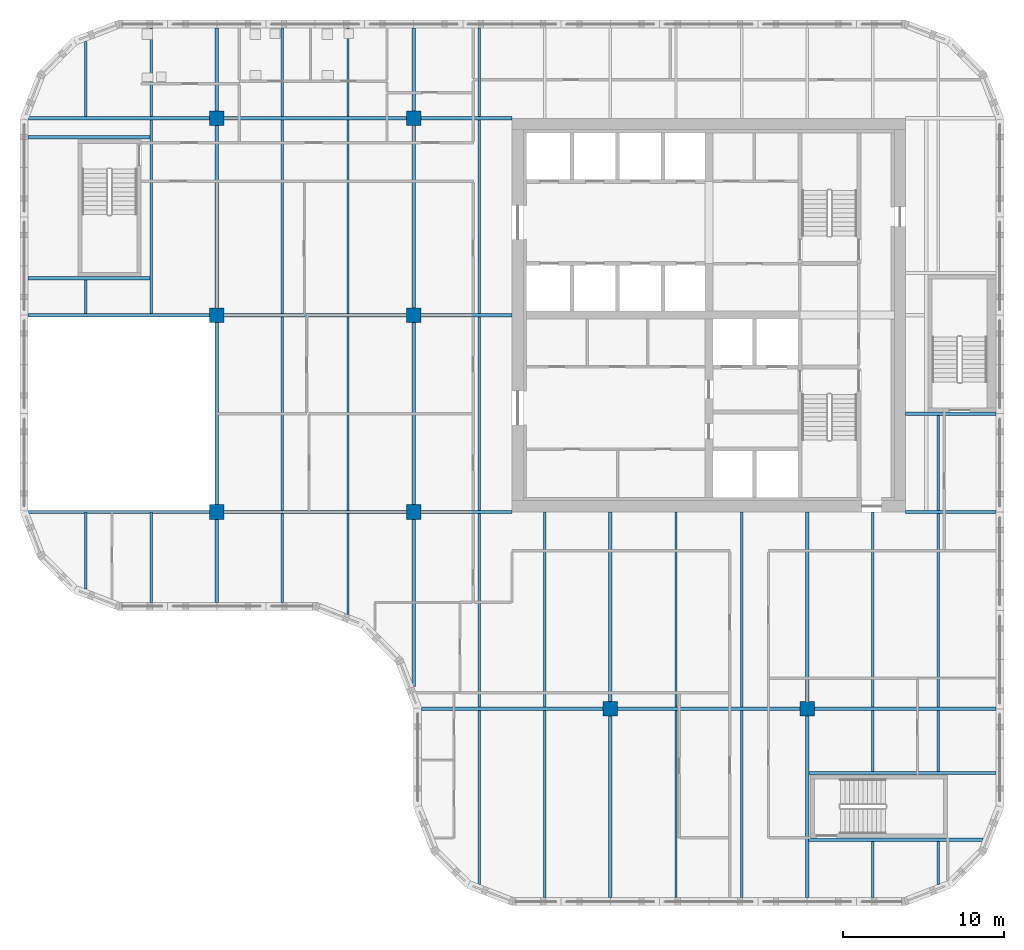
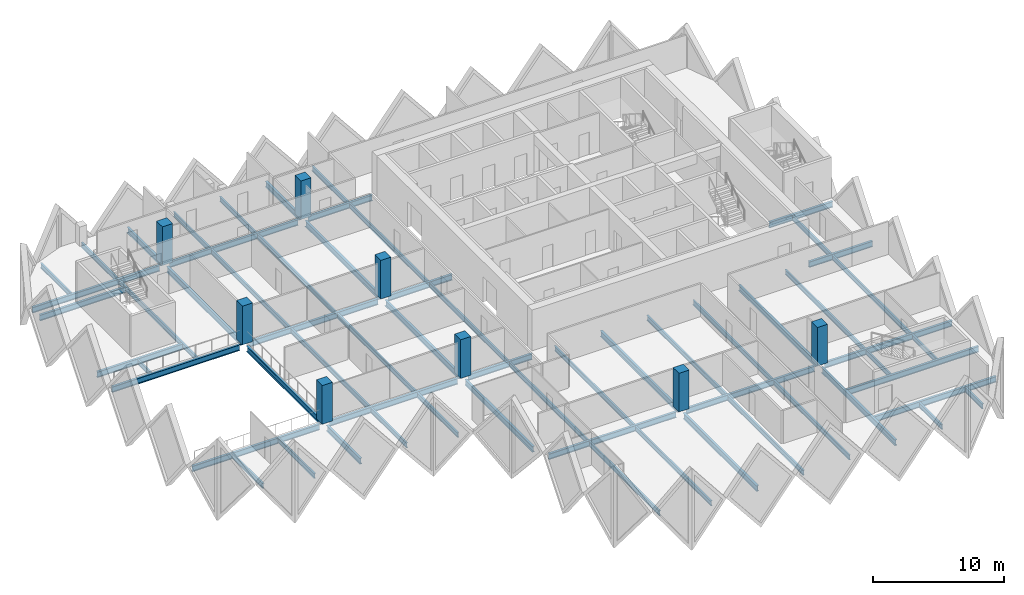
# One storey, part 1 of 13: 62 beams, 8 columns.
"""IFC4 building model written with IfcOpenShell, lengths in metres."""

from ifc_helpers import new_model, si_unit, direction, frame, origin, origin_2d, place, context, subcontext, project, spatial, rectangle, i_section, extrude, material, material_profile, profile_set, type_object, element, save


model = new_model("IFC4")

# Units and contexts
model_context = context("Model", 3, precision=1e-05, world=origin(), true_north=direction((0.0, 1.0)))
body_context = subcontext(model_context, "Body", "Model", "MODEL_VIEW")
ifc_project = project(units=[si_unit("LENGTHUNIT", "METRE"), si_unit("AREAUNIT", "SQUARE_METRE"), si_unit("VOLUMEUNIT", "CUBIC_METRE"), si_unit("PLANEANGLEUNIT", "RADIAN"), si_unit("MASSUNIT", "GRAM", prefix="KILO")], contexts=[model_context])

# Site, building, storey
site_placement = place(None, origin())
site = spatial("IfcSite", under=ifc_project, at=site_placement, CompositionType="ELEMENT")
building_placement = place(site_placement, origin())
building = spatial("IfcBuilding", under=site, at=building_placement, Name="Tessera Gate Towers", CompositionType="ELEMENT")
storey_placement = place(building_placement, frame((0.0, 0.0, 120.199951171875)))
storey = spatial("IfcBuildingStorey", under=building, at=storey_placement, Name="L29", CompositionType="ELEMENT", Elevation=120.199951171875)

# Columns
ifc_material_1 = material(Name="Concrete C70/85", Category="concrete")
ifc_material_profile_1 = material_profile(ifc_material_1, rectangle(XDim=0.89990234375, YDim=0.89990234375, at=origin_2d()), Name="RC 900x900")
ifc_profile_set_1 = profile_set([ifc_material_profile_1], Name="Concrete C70/85")
column_type = type_object("IfcColumnType", Name="COLUMN RC 900x900", PredefinedType="COLUMN", material=ifc_profile_set_1)
for number, where, z_axis, x_axis, name in (
    (1, (12.199951171875, 24.39990234375, 0.0), (0.0, 0.0, 1.0), (1.0, 0.0, 0.0), "T1-COL-2C-L29"),
    (2, (12.199951171875, 36.60009765625, 0.0), (0.0, 0.0, 1.0), (1.0, 0.0, 0.0), "T1-COL-2D-L29"),
    (3, (12.199951171875, 48.800048828125, 0.0), (0.0, 0.0, 1.0), (1.0, 0.0, 0.0), "T1-COL-2E-L29"),
    (4, (24.39990234375, 24.39990234375, 0.0), (0.0, 0.0, 1.0), (1.0, 0.0, 0.0), "T1-COL-3C-L29"),
    (5, (24.39990234375, 36.60009765625, 0.0), (0.0, 0.0, 1.0), (1.0, 0.0, 0.0), "T1-COL-3D-L29"),
    (6, (24.39990234375, 48.800048828125, 0.0), (0.0, 0.0, 1.0), (1.0, 0.0, 0.0), "T1-COL-3E-L29"),
    (7, (36.60009765625, 12.199951171875, 0.0), (0.0, 0.0, 1.0), (1.0, 0.0, 0.0), "T1-COL-4B-L29"),
    (8, (48.800048828125, 12.199951171875, 0.0), (0.0, 0.0, 1.0), (1.0, 0.0, 0.0), "T1-COL-5B-L29"),
):
    element("IfcColumn", number, at=place(storey_placement, frame(where, z_axis=z_axis, x_axis=x_axis)), inside=storey, type_object=column_type, Name=name, PredefinedType="COLUMN", context=body_context, shape_type="SweptSolid", body=[
        extrude(rectangle(XDim=0.89990234375, YDim=0.89990234375, at=origin_2d()), origin(), (0.0, 0.0, 1.0), 3.60009765625),
    ])

# Beams
ifc_material_2 = material(Name="Steel 350W", Category="steel")
ifc_material_profile_2 = material_profile(ifc_material_2, i_section(OverallWidth=0.208984375, OverallDepth=0.532958984375, WebThickness=0.01025390625, FlangeThickness=0.015625, at=origin_2d()), Name="W530x92")
ifc_profile_set_2 = profile_set([ifc_material_profile_2], Name="Steel 350W")
beam_type_1 = type_object("IfcBeamType", Name="FLOOR GIRDER W530x92", PredefinedType="BEAM", material=ifc_profile_set_2)
beam_1_placement = place(storey_placement, frame((24.89892578125, 12.199951171875, -0.466552734375), z_axis=(1.0, 0.0, 0.0), x_axis=(0.0, 1.0, 0.0)))
element("IfcBeam", 9, at=beam_1_placement, inside=storey, type_object=beam_type_1, Name="T1-GD-L29-3704", PredefinedType="BEAM", context=body_context, shape_type="SweptSolid", body=[
    extrude(i_section(OverallWidth=0.208984375, OverallDepth=0.532958984375, WebThickness=0.01025390625, FlangeThickness=0.015625, at=origin_2d()), origin(), (0.0, 0.0, 1.0), 11.2509765625),
])
beam_2_placement = place(storey_placement, frame((37.050048828125, 12.199951171875, -0.466552734375), z_axis=(1.0, 0.0, 0.0), x_axis=(0.0, 1.0, 0.0)))
element("IfcBeam", 10, at=beam_2_placement, inside=storey, type_object=beam_type_1, Name="T1-GD-L29-3705", PredefinedType="BEAM", context=body_context, shape_type="SweptSolid", body=[
    extrude(i_section(OverallWidth=0.208984375, OverallDepth=0.532958984375, WebThickness=0.01025390625, FlangeThickness=0.015625, at=origin_2d()), origin(), (0.0, 0.0, 1.0), 11.300048828125),
])
beam_3_placement = place(storey_placement, frame((49.25, 12.199951171875, -0.466552734375), z_axis=(1.0, 0.0, 0.0), x_axis=(0.0, 1.0, 0.0)))
element("IfcBeam", 11, at=beam_3_placement, inside=storey, type_object=beam_type_1, Name="T1-GD-L29-3706", PredefinedType="BEAM", context=body_context, shape_type="SweptSolid", body=[
    extrude(i_section(OverallWidth=0.208984375, OverallDepth=0.532958984375, WebThickness=0.01025390625, FlangeThickness=0.015625, at=origin_2d()), origin(), (0.0, 0.0, 1.0), 11.2509765625),
])
beam_4_placement = place(storey_placement, frame((0.534912109375, 24.39990234375, -0.466552734375), z_axis=(1.0, 0.0, 0.0), x_axis=(0.0, 1.0, 0.0)))
element("IfcBeam", 12, at=beam_4_placement, inside=storey, type_object=beam_type_1, Name="T1-GD-L29-3707", PredefinedType="BEAM", context=body_context, shape_type="SweptSolid", body=[
    extrude(i_section(OverallWidth=0.208984375, OverallDepth=0.532958984375, WebThickness=0.01025390625, FlangeThickness=0.015625, at=origin_2d()), origin(), (0.0, 0.0, 1.0), 11.215087890625),
])
beam_5_placement = place(storey_placement, frame((12.64990234375, 24.39990234375, -0.466552734375), z_axis=(1.0, 0.0, 0.0), x_axis=(0.0, 1.0, 0.0)))
element("IfcBeam", 13, at=beam_5_placement, inside=storey, type_object=beam_type_1, Name="T1-GD-L29-3708", PredefinedType="BEAM", context=body_context, shape_type="SweptSolid", body=[
    extrude(i_section(OverallWidth=0.208984375, OverallDepth=0.532958984375, WebThickness=0.01025390625, FlangeThickness=0.015625, at=origin_2d()), origin(), (0.0, 0.0, 1.0), 11.300048828125),
])
beam_6_placement = place(storey_placement, frame((24.85009765625, 24.39990234375, -0.466552734375), z_axis=(1.0, 0.0, 0.0), x_axis=(0.0, 1.0, 0.0)))
element("IfcBeam", 14, at=beam_6_placement, inside=storey, type_object=beam_type_1, Name="T1-GD-L29-3709", PredefinedType="BEAM", context=body_context, shape_type="SweptSolid", body=[
    extrude(i_section(OverallWidth=0.208984375, OverallDepth=0.532958984375, WebThickness=0.01025390625, FlangeThickness=0.015625, at=origin_2d()), origin(), (0.0, 0.0, 1.0), 5.64892578125),
])
beam_7_placement = place(storey_placement, frame((54.90087890625, 24.39990234375, -0.466552734375), z_axis=(1.0, 0.0, 0.0), x_axis=(0.0, 1.0, 0.0)))
element("IfcBeam", 15, at=beam_7_placement, inside=storey, type_object=beam_type_1, Name="T1-GD-L29-3710", PredefinedType="BEAM", context=body_context, shape_type="SweptSolid", body=[
    extrude(i_section(OverallWidth=0.208984375, OverallDepth=0.532958984375, WebThickness=0.01025390625, FlangeThickness=0.015625, at=origin_2d()), origin(), (0.0, 0.0, 1.0), 5.60009765625),
])
beam_8_placement = place(storey_placement, frame((0.4990234375, 36.60009765625, -0.466552734375), z_axis=(1.0, 0.0, 0.0), x_axis=(0.0, 1.0, 0.0)))
element("IfcBeam", 16, at=beam_8_placement, inside=storey, type_object=beam_type_1, Name="T1-GD-L29-3711", PredefinedType="BEAM", context=body_context, shape_type="SweptSolid", body=[
    extrude(i_section(OverallWidth=0.208984375, OverallDepth=0.532958984375, WebThickness=0.01025390625, FlangeThickness=0.015625, at=origin_2d()), origin(), (0.0, 0.0, 1.0), 11.2509765625),
])
beam_9_placement = place(storey_placement, frame((12.64990234375, 36.60009765625, -0.466552734375), z_axis=(1.0, 0.0, 0.0), x_axis=(0.0, 1.0, 0.0)))
element("IfcBeam", 17, at=beam_9_placement, inside=storey, type_object=beam_type_1, Name="T1-GD-L29-3712", PredefinedType="BEAM", context=body_context, shape_type="SweptSolid", body=[
    extrude(i_section(OverallWidth=0.208984375, OverallDepth=0.532958984375, WebThickness=0.01025390625, FlangeThickness=0.015625, at=origin_2d()), origin(), (0.0, 0.0, 1.0), 11.300048828125),
])
beam_10_placement = place(storey_placement, frame((24.85009765625, 36.60009765625, -0.466552734375), z_axis=(1.0, 0.0, 0.0), x_axis=(0.0, 1.0, 0.0)))
element("IfcBeam", 18, at=beam_10_placement, inside=storey, type_object=beam_type_1, Name="T1-GD-L29-3713", PredefinedType="BEAM", context=body_context, shape_type="SweptSolid", body=[
    extrude(i_section(OverallWidth=0.208984375, OverallDepth=0.532958984375, WebThickness=0.01025390625, FlangeThickness=0.015625, at=origin_2d()), origin(), (0.0, 0.0, 1.0), 5.65087890625),
])
beam_11_placement = place(storey_placement, frame((0.534912109375, 48.800048828125, -0.466552734375), z_axis=(1.0, 0.0, 0.0), x_axis=(0.0, 1.0, 0.0)))
element("IfcBeam", 19, at=beam_11_placement, inside=storey, type_object=beam_type_1, Name="T1-GD-L29-3715", PredefinedType="BEAM", context=body_context, shape_type="SweptSolid", body=[
    extrude(i_section(OverallWidth=0.208984375, OverallDepth=0.532958984375, WebThickness=0.01025390625, FlangeThickness=0.015625, at=origin_2d()), origin(), (0.0, 0.0, 1.0), 11.215087890625),
])
beam_12_placement = place(storey_placement, frame((12.64990234375, 48.800048828125, -0.466552734375), z_axis=(1.0, 0.0, 0.0), x_axis=(0.0, 1.0, 0.0)))
element("IfcBeam", 20, at=beam_12_placement, inside=storey, type_object=beam_type_1, Name="T1-GD-L29-3716", PredefinedType="BEAM", context=body_context, shape_type="SweptSolid", body=[
    extrude(i_section(OverallWidth=0.208984375, OverallDepth=0.532958984375, WebThickness=0.01025390625, FlangeThickness=0.015625, at=origin_2d()), origin(), (0.0, 0.0, 1.0), 11.300048828125),
])
beam_13_placement = place(storey_placement, frame((24.85009765625, 48.800048828125, -0.466552734375), z_axis=(1.0, 0.0, 0.0), x_axis=(0.0, 1.0, 0.0)))
element("IfcBeam", 21, at=beam_13_placement, inside=storey, type_object=beam_type_1, Name="T1-GD-L29-3717", PredefinedType="BEAM", context=body_context, shape_type="SweptSolid", body=[
    extrude(i_section(OverallWidth=0.208984375, OverallDepth=0.532958984375, WebThickness=0.01025390625, FlangeThickness=0.015625, at=origin_2d()), origin(), (0.0, 0.0, 1.0), 5.64892578125),
])
beam_14_placement = place(storey_placement, frame((12.199951171875, 18.799072265625, -0.466552734375), z_axis=(0.0, 1.0, 0.0), x_axis=(-1.0, 0.0, 0.0)))
element("IfcBeam", 22, at=beam_14_placement, inside=storey, type_object=beam_type_1, Name="T1-GD-L29-3719", PredefinedType="BEAM", context=body_context, shape_type="SweptSolid", body=[
    extrude(i_section(OverallWidth=0.208984375, OverallDepth=0.532958984375, WebThickness=0.01025390625, FlangeThickness=0.015625, at=origin_2d()), origin(), (0.0, 0.0, 1.0), 5.15087890625),
])
beam_15_placement = place(storey_placement, frame((12.199951171875, 24.85009765625, -0.466552734375), z_axis=(0.0, 1.0, 0.0), x_axis=(-1.0, 0.0, 0.0)))
element("IfcBeam", 23, at=beam_15_placement, inside=storey, type_object=beam_type_1, Name="T1-GD-L29-3720", PredefinedType="BEAM", context=body_context, shape_type="SweptSolid", body=[
    extrude(i_section(OverallWidth=0.208984375, OverallDepth=0.532958984375, WebThickness=0.01025390625, FlangeThickness=0.015625, at=origin_2d()), origin(), (0.0, 0.0, 1.0), 11.2998046875),
])
beam_16_placement = place(storey_placement, frame((12.199951171875, 37.050048828125, -0.466552734375), z_axis=(0.0, 1.0, 0.0), x_axis=(-1.0, 0.0, 0.0)))
element("IfcBeam", 24, at=beam_16_placement, inside=storey, type_object=beam_type_1, Name="T1-GD-L29-3721", PredefinedType="BEAM", context=body_context, shape_type="SweptSolid", body=[
    extrude(i_section(OverallWidth=0.208984375, OverallDepth=0.532958984375, WebThickness=0.01025390625, FlangeThickness=0.015625, at=origin_2d()), origin(), (0.0, 0.0, 1.0), 11.300048828125),
])
beam_17_placement = place(storey_placement, frame((12.199951171875, 49.25, -0.466552734375), z_axis=(0.0, 1.0, 0.0), x_axis=(-1.0, 0.0, 0.0)))
element("IfcBeam", 25, at=beam_17_placement, inside=storey, type_object=beam_type_1, Name="T1-GD-L29-3722", PredefinedType="BEAM", context=body_context, shape_type="SweptSolid", body=[
    extrude(i_section(OverallWidth=0.208984375, OverallDepth=0.532958984375, WebThickness=0.01025390625, FlangeThickness=0.015625, at=origin_2d()), origin(), (0.0, 0.0, 1.0), 5.15087890625),
])
beam_18_placement = place(storey_placement, frame((24.39990234375, 13.58642578125, -0.466552734375), z_axis=(0.0, 1.0, 0.0), x_axis=(-1.0, 0.0, 0.0)))
element("IfcBeam", 26, at=beam_18_placement, inside=storey, type_object=beam_type_1, Name="T1-GD-L29-3723", PredefinedType="BEAM", context=body_context, shape_type="SweptSolid", body=[
    extrude(i_section(OverallWidth=0.208984375, OverallDepth=0.532958984375, WebThickness=0.01025390625, FlangeThickness=0.015625, at=origin_2d()), origin(), (0.0, 0.0, 1.0), 10.363525390625),
])
beam_19_placement = place(storey_placement, frame((24.39990234375, 24.85009765625, -0.466552734375), z_axis=(0.0, 1.0, 0.0), x_axis=(-1.0, 0.0, 0.0)))
element("IfcBeam", 27, at=beam_19_placement, inside=storey, type_object=beam_type_1, Name="T1-GD-L29-3724", PredefinedType="BEAM", context=body_context, shape_type="SweptSolid", body=[
    extrude(i_section(OverallWidth=0.208984375, OverallDepth=0.532958984375, WebThickness=0.01025390625, FlangeThickness=0.015625, at=origin_2d()), origin(), (0.0, 0.0, 1.0), 11.2998046875),
])
beam_20_placement = place(storey_placement, frame((24.39990234375, 37.050048828125, -0.466552734375), z_axis=(0.0, 1.0, 0.0), x_axis=(-1.0, 0.0, 0.0)))
element("IfcBeam", 28, at=beam_20_placement, inside=storey, type_object=beam_type_1, Name="T1-GD-L29-3725", PredefinedType="BEAM", context=body_context, shape_type="SweptSolid", body=[
    extrude(i_section(OverallWidth=0.208984375, OverallDepth=0.532958984375, WebThickness=0.01025390625, FlangeThickness=0.015625, at=origin_2d()), origin(), (0.0, 0.0, 1.0), 11.300048828125),
])
beam_21_placement = place(storey_placement, frame((24.39990234375, 49.25, -0.466552734375), z_axis=(0.0, 1.0, 0.0), x_axis=(-1.0, 0.0, 0.0)))
element("IfcBeam", 29, at=beam_21_placement, inside=storey, type_object=beam_type_1, Name="T1-GD-L29-3726", PredefinedType="BEAM", context=body_context, shape_type="SweptSolid", body=[
    extrude(i_section(OverallWidth=0.208984375, OverallDepth=0.532958984375, WebThickness=0.01025390625, FlangeThickness=0.015625, at=origin_2d()), origin(), (0.0, 0.0, 1.0), 5.15087890625),
])
beam_22_placement = place(storey_placement, frame((36.60009765625, 0.4990234375, -0.466552734375), z_axis=(0.0, 1.0, 0.0), x_axis=(-1.0, 0.0, 0.0)))
element("IfcBeam", 30, at=beam_22_placement, inside=storey, type_object=beam_type_1, Name="T1-GD-L29-3727", PredefinedType="BEAM", context=body_context, shape_type="SweptSolid", body=[
    extrude(i_section(OverallWidth=0.208984375, OverallDepth=0.532958984375, WebThickness=0.01025390625, FlangeThickness=0.015625, at=origin_2d()), origin(), (0.0, 0.0, 1.0), 11.2509765625),
])
beam_23_placement = place(storey_placement, frame((36.60009765625, 12.64990234375, -0.466552734375), z_axis=(0.0, 1.0, 0.0), x_axis=(-1.0, 0.0, 0.0)))
element("IfcBeam", 31, at=beam_23_placement, inside=storey, type_object=beam_type_1, Name="T1-GD-L29-3728", PredefinedType="BEAM", context=body_context, shape_type="SweptSolid", body=[
    extrude(i_section(OverallWidth=0.208984375, OverallDepth=0.532958984375, WebThickness=0.01025390625, FlangeThickness=0.015625, at=origin_2d()), origin(), (0.0, 0.0, 1.0), 11.75),
])
beam_24_placement = place(storey_placement, frame((48.800048828125, 0.4990234375, -0.466552734375), z_axis=(0.0, 1.0, 0.0), x_axis=(-1.0, 0.0, 0.0)))
element("IfcBeam", 32, at=beam_24_placement, inside=storey, type_object=beam_type_1, Name="T1-GD-L29-3729", PredefinedType="BEAM", context=body_context, shape_type="SweptSolid", body=[
    extrude(i_section(OverallWidth=0.208984375, OverallDepth=0.532958984375, WebThickness=0.01025390625, FlangeThickness=0.015625, at=origin_2d()), origin(), (0.0, 0.0, 1.0), 11.2509765625),
])
beam_25_placement = place(storey_placement, frame((48.800048828125, 12.64990234375, -0.466552734375), z_axis=(0.0, 1.0, 0.0), x_axis=(-1.0, 0.0, 0.0)))
element("IfcBeam", 33, at=beam_25_placement, inside=storey, type_object=beam_type_1, Name="T1-GD-L29-3730", PredefinedType="BEAM", context=body_context, shape_type="SweptSolid", body=[
    extrude(i_section(OverallWidth=0.208984375, OverallDepth=0.532958984375, WebThickness=0.01025390625, FlangeThickness=0.015625, at=origin_2d()), origin(), (0.0, 0.0, 1.0), 11.75),
])
for number, where, z_axis, x_axis, name in (
    (34, (0.4990234375, 38.8798828125, -0.466552734375), (1.0, 0.0, 0.0), (0.0, 1.0, 0.0), "T1-GD-L29-3731"),
    (35, (0.4990234375, 47.6201171875, -0.466552734375), (1.0, 0.0, 0.0), (0.0, 1.0, 0.0), "T1-GD-L29-3732"),
):
    element("IfcBeam", number, at=place(storey_placement, frame(where, z_axis=z_axis, x_axis=x_axis)), inside=storey, type_object=beam_type_1, Name=name, PredefinedType="BEAM", context=body_context, shape_type="SweptSolid", body=[
        extrude(i_section(OverallWidth=0.208984375, OverallDepth=0.532958984375, WebThickness=0.01025390625, FlangeThickness=0.015625, at=origin_2d()), origin(), (0.0, 0.0, 1.0), 7.557861328125),
    ])
beam_26_placement = place(storey_placement, frame((48.87646484375, 4.080078125, -0.466552734375), z_axis=(1.0, 0.0, 0.0), x_axis=(0.0, 1.0, 0.0)))
element("IfcBeam", 36, at=beam_26_placement, inside=storey, type_object=beam_type_1, Name="T1-GD-L29-3733", PredefinedType="BEAM", context=body_context, shape_type="SweptSolid", body=[
    extrude(i_section(OverallWidth=0.208984375, OverallDepth=0.532958984375, WebThickness=0.01025390625, FlangeThickness=0.015625, at=origin_2d()), origin(), (0.0, 0.0, 1.0), 10.809326171875),
])
beam_27_placement = place(storey_placement, frame((48.87646484375, 8.219970703125, -0.466552734375), z_axis=(1.0, 0.0, 0.0), x_axis=(0.0, 1.0, 0.0)))
element("IfcBeam", 37, at=beam_27_placement, inside=storey, type_object=beam_type_1, Name="T1-GD-L29-3734", PredefinedType="BEAM", context=body_context, shape_type="SweptSolid", body=[
    extrude(i_section(OverallWidth=0.208984375, OverallDepth=0.532958984375, WebThickness=0.01025390625, FlangeThickness=0.015625, at=origin_2d()), origin(), (0.0, 0.0, 1.0), 11.62451171875),
])
beam_28_placement = place(storey_placement, frame((54.89892578125, 30.47998046875, -0.466552734375), z_axis=(1.0, 0.0, 0.0), x_axis=(0.0, 1.0, 0.0)))
element("IfcBeam", 38, at=beam_28_placement, inside=storey, type_object=beam_type_1, Name="T1-GD-L29-3735", PredefinedType="BEAM", context=body_context, shape_type="SweptSolid", body=[
    extrude(i_section(OverallWidth=0.208984375, OverallDepth=0.532958984375, WebThickness=0.01025390625, FlangeThickness=0.015625, at=origin_2d()), origin(), (0.0, 0.0, 1.0), 5.60205078125),
])
ifc_material_3 = material(Name="Steel 350W", Category="steel")
ifc_material_profile_3 = material_profile(ifc_material_3, i_section(OverallWidth=0.153076171875, OverallDepth=0.455078125, WebThickness=0.008056640625, FlangeThickness=0.01318359375, at=origin_2d()), Name="W460x60")
ifc_profile_set_3 = profile_set([ifc_material_profile_3], Name="Steel 350W")
beam_type_2 = type_object("IfcBeamType", Name="FLOOR SECONDARY W460x60", PredefinedType="BEAM", material=ifc_profile_set_3)
beam_29_placement = place(storey_placement, frame((4.066650390625, 19.620361328125, -0.427490234375), z_axis=(0.0, 1.0, 0.0), x_axis=(-1.0, 0.0, 0.0)))
element("IfcBeam", 39, at=beam_29_placement, inside=storey, type_object=beam_type_2, Name="T1-BM-L29-3738", PredefinedType="BEAM", context=body_context, shape_type="SweptSolid", body=[
    extrude(i_section(OverallWidth=0.153076171875, OverallDepth=0.455078125, WebThickness=0.008056640625, FlangeThickness=0.01318359375, at=origin_2d()), origin(), (0.0, 0.0, 1.0), 4.779541015625),
])
beam_30_placement = place(storey_placement, frame((4.066650390625, 36.70458984375, -0.427490234375), z_axis=(0.0, 1.0, 0.0), x_axis=(-1.0, 0.0, 0.0)))
element("IfcBeam", 40, at=beam_30_placement, inside=storey, type_object=beam_type_2, Name="T1-BM-L29-3739", PredefinedType="BEAM", context=body_context, shape_type="SweptSolid", body=[
    extrude(i_section(OverallWidth=0.153076171875, OverallDepth=0.455078125, WebThickness=0.008056640625, FlangeThickness=0.01318359375, at=origin_2d()), origin(), (0.0, 0.0, 1.0), 2.07080078125),
])
beam_31_placement = place(storey_placement, frame((4.066650390625, 48.904541015625, -0.427490234375), z_axis=(0.0, 1.0, 0.0), x_axis=(-1.0, 0.0, 0.0)))
element("IfcBeam", 41, at=beam_31_placement, inside=storey, type_object=beam_type_2, Name="T1-BM-L29-3740", PredefinedType="BEAM", context=body_context, shape_type="SweptSolid", body=[
    extrude(i_section(OverallWidth=0.153076171875, OverallDepth=0.455078125, WebThickness=0.008056640625, FlangeThickness=0.01318359375, at=origin_2d()), origin(), (0.0, 0.0, 1.0), 4.675048828125),
])
beam_32_placement = place(storey_placement, frame((8.13330078125, 18.800048828125, -0.427490234375), z_axis=(0.0, 1.0, 0.0), x_axis=(-1.0, 0.0, 0.0)))
element("IfcBeam", 42, at=beam_32_placement, inside=storey, type_object=beam_type_2, Name="T1-BM-L29-3741", PredefinedType="BEAM", context=body_context, shape_type="SweptSolid", body=[
    extrude(i_section(OverallWidth=0.153076171875, OverallDepth=0.455078125, WebThickness=0.008056640625, FlangeThickness=0.01318359375, at=origin_2d()), origin(), (0.0, 0.0, 1.0), 5.599853515625),
])
beam_33_placement = place(storey_placement, frame((8.13330078125, 36.70458984375, -0.427490234375), z_axis=(0.0, 1.0, 0.0), x_axis=(-1.0, 0.0, 0.0)))
element("IfcBeam", 43, at=beam_33_placement, inside=storey, type_object=beam_type_2, Name="T1-BM-L29-3742", PredefinedType="BEAM", context=body_context, shape_type="SweptSolid", body=[
    extrude(i_section(OverallWidth=0.153076171875, OverallDepth=0.455078125, WebThickness=0.008056640625, FlangeThickness=0.01318359375, at=origin_2d()), origin(), (0.0, 0.0, 1.0), 11.990966796875),
])
for number, where, z_axis, x_axis, name in (
    (44, (8.13330078125, 48.904541015625, -0.427490234375), (0.0, 1.0, 0.0), (-1.0, 0.0, 0.0), "T1-BM-L29-3743"),
    (45, (16.2666015625, 18.800048828125, -0.427490234375), (0.0, 1.0, 0.0), (-1.0, 0.0, 0.0), "T1-BM-L29-3744"),
):
    element("IfcBeam", number, at=place(storey_placement, frame(where, z_axis=z_axis, x_axis=x_axis)), inside=storey, type_object=beam_type_2, Name=name, PredefinedType="BEAM", context=body_context, shape_type="SweptSolid", body=[
        extrude(i_section(OverallWidth=0.153076171875, OverallDepth=0.455078125, WebThickness=0.008056640625, FlangeThickness=0.01318359375, at=origin_2d()), origin(), (0.0, 0.0, 1.0), 5.495361328125),
    ])
beam_34_placement = place(storey_placement, frame((16.2666015625, 24.50439453125, -0.427490234375), z_axis=(0.0, 1.0, 0.0), x_axis=(-1.0, 0.0, 0.0)))
element("IfcBeam", 46, at=beam_34_placement, inside=storey, type_object=beam_type_2, Name="T1-BM-L29-3745", PredefinedType="BEAM", context=body_context, shape_type="SweptSolid", body=[
    extrude(i_section(OverallWidth=0.153076171875, OverallDepth=0.455078125, WebThickness=0.008056640625, FlangeThickness=0.01318359375, at=origin_2d()), origin(), (0.0, 0.0, 1.0), 11.9912109375),
])
beam_35_placement = place(storey_placement, frame((16.2666015625, 36.70458984375, -0.427490234375), z_axis=(0.0, 1.0, 0.0), x_axis=(-1.0, 0.0, 0.0)))
element("IfcBeam", 47, at=beam_35_placement, inside=storey, type_object=beam_type_2, Name="T1-BM-L29-3746", PredefinedType="BEAM", context=body_context, shape_type="SweptSolid", body=[
    extrude(i_section(OverallWidth=0.153076171875, OverallDepth=0.455078125, WebThickness=0.008056640625, FlangeThickness=0.01318359375, at=origin_2d()), origin(), (0.0, 0.0, 1.0), 11.990966796875),
])
beam_36_placement = place(storey_placement, frame((16.2666015625, 48.904541015625, -0.427490234375), z_axis=(0.0, 1.0, 0.0), x_axis=(-1.0, 0.0, 0.0)))
element("IfcBeam", 48, at=beam_36_placement, inside=storey, type_object=beam_type_2, Name="T1-BM-L29-3747", PredefinedType="BEAM", context=body_context, shape_type="SweptSolid", body=[
    extrude(i_section(OverallWidth=0.153076171875, OverallDepth=0.455078125, WebThickness=0.008056640625, FlangeThickness=0.01318359375, at=origin_2d()), origin(), (0.0, 0.0, 1.0), 5.495361328125),
])
beam_37_placement = place(storey_placement, frame((20.333251953125, 18.051513671875, -0.427490234375), z_axis=(0.0, 1.0, 0.0), x_axis=(-1.0, 0.0, 0.0)))
element("IfcBeam", 49, at=beam_37_placement, inside=storey, type_object=beam_type_2, Name="T1-BM-L29-3748", PredefinedType="BEAM", context=body_context, shape_type="SweptSolid", body=[
    extrude(i_section(OverallWidth=0.153076171875, OverallDepth=0.455078125, WebThickness=0.008056640625, FlangeThickness=0.01318359375, at=origin_2d()), origin(), (0.0, 0.0, 1.0), 6.243896484375),
])
beam_38_placement = place(storey_placement, frame((20.333251953125, 24.50439453125, -0.427490234375), z_axis=(0.0, 1.0, 0.0), x_axis=(-1.0, 0.0, 0.0)))
element("IfcBeam", 50, at=beam_38_placement, inside=storey, type_object=beam_type_2, Name="T1-BM-L29-3749", PredefinedType="BEAM", context=body_context, shape_type="SweptSolid", body=[
    extrude(i_section(OverallWidth=0.153076171875, OverallDepth=0.455078125, WebThickness=0.008056640625, FlangeThickness=0.01318359375, at=origin_2d()), origin(), (0.0, 0.0, 1.0), 11.9912109375),
])
beam_39_placement = place(storey_placement, frame((20.333251953125, 36.70458984375, -0.427490234375), z_axis=(0.0, 1.0, 0.0), x_axis=(-1.0, 0.0, 0.0)))
element("IfcBeam", 51, at=beam_39_placement, inside=storey, type_object=beam_type_2, Name="T1-BM-L29-3750", PredefinedType="BEAM", context=body_context, shape_type="SweptSolid", body=[
    extrude(i_section(OverallWidth=0.153076171875, OverallDepth=0.455078125, WebThickness=0.008056640625, FlangeThickness=0.01318359375, at=origin_2d()), origin(), (0.0, 0.0, 1.0), 11.990966796875),
])
beam_40_placement = place(storey_placement, frame((20.333251953125, 48.904541015625, -0.427490234375), z_axis=(0.0, 1.0, 0.0), x_axis=(-1.0, 0.0, 0.0)))
element("IfcBeam", 52, at=beam_40_placement, inside=storey, type_object=beam_type_2, Name="T1-BM-L29-3751", PredefinedType="BEAM", context=body_context, shape_type="SweptSolid", body=[
    extrude(i_section(OverallWidth=0.153076171875, OverallDepth=0.455078125, WebThickness=0.008056640625, FlangeThickness=0.01318359375, at=origin_2d()), origin(), (0.0, 0.0, 1.0), 5.495361328125),
])
beam_41_placement = place(storey_placement, frame((28.466796875, 1.3203125, -0.427490234375), z_axis=(0.0, 1.0, 0.0), x_axis=(-1.0, 0.0, 0.0)))
element("IfcBeam", 53, at=beam_41_placement, inside=storey, type_object=beam_type_2, Name="T1-BM-L29-3752", PredefinedType="BEAM", context=body_context, shape_type="SweptSolid", body=[
    extrude(i_section(OverallWidth=0.153076171875, OverallDepth=0.455078125, WebThickness=0.008056640625, FlangeThickness=0.01318359375, at=origin_2d()), origin(), (0.0, 0.0, 1.0), 10.775146484375),
])
beam_42_placement = place(storey_placement, frame((28.466796875, 12.304443359375, -0.427490234375), z_axis=(0.0, 1.0, 0.0), x_axis=(-1.0, 0.0, 0.0)))
element("IfcBeam", 54, at=beam_42_placement, inside=storey, type_object=beam_type_2, Name="T1-BM-L29-3753", PredefinedType="BEAM", context=body_context, shape_type="SweptSolid", body=[
    extrude(i_section(OverallWidth=0.153076171875, OverallDepth=0.455078125, WebThickness=0.008056640625, FlangeThickness=0.01318359375, at=origin_2d()), origin(), (0.0, 0.0, 1.0), 11.990966796875),
])
beam_43_placement = place(storey_placement, frame((28.466796875, 24.50439453125, -0.427490234375), z_axis=(0.0, 1.0, 0.0), x_axis=(-1.0, 0.0, 0.0)))
element("IfcBeam", 55, at=beam_43_placement, inside=storey, type_object=beam_type_2, Name="T1-BM-L29-3754", PredefinedType="BEAM", context=body_context, shape_type="SweptSolid", body=[
    extrude(i_section(OverallWidth=0.153076171875, OverallDepth=0.455078125, WebThickness=0.008056640625, FlangeThickness=0.01318359375, at=origin_2d()), origin(), (0.0, 0.0, 1.0), 11.9912109375),
])
beam_44_placement = place(storey_placement, frame((28.466796875, 36.70458984375, -0.427490234375), z_axis=(0.0, 1.0, 0.0), x_axis=(-1.0, 0.0, 0.0)))
element("IfcBeam", 56, at=beam_44_placement, inside=storey, type_object=beam_type_2, Name="T1-BM-L29-3755", PredefinedType="BEAM", context=body_context, shape_type="SweptSolid", body=[
    extrude(i_section(OverallWidth=0.153076171875, OverallDepth=0.455078125, WebThickness=0.008056640625, FlangeThickness=0.01318359375, at=origin_2d()), origin(), (0.0, 0.0, 1.0), 11.990966796875),
])
beam_45_placement = place(storey_placement, frame((28.466796875, 48.904541015625, -0.427490234375), z_axis=(0.0, 1.0, 0.0), x_axis=(-1.0, 0.0, 0.0)))
element("IfcBeam", 57, at=beam_45_placement, inside=storey, type_object=beam_type_2, Name="T1-BM-L29-3756", PredefinedType="BEAM", context=body_context, shape_type="SweptSolid", body=[
    extrude(i_section(OverallWidth=0.153076171875, OverallDepth=0.455078125, WebThickness=0.008056640625, FlangeThickness=0.01318359375, at=origin_2d()), origin(), (0.0, 0.0, 1.0), 5.495361328125),
])
beam_46_placement = place(storey_placement, frame((32.533203125, 0.5, -0.427490234375), z_axis=(0.0, 1.0, 0.0), x_axis=(-1.0, 0.0, 0.0)))
element("IfcBeam", 58, at=beam_46_placement, inside=storey, type_object=beam_type_2, Name="T1-BM-L29-3757", PredefinedType="BEAM", context=body_context, shape_type="SweptSolid", body=[
    extrude(i_section(OverallWidth=0.153076171875, OverallDepth=0.455078125, WebThickness=0.008056640625, FlangeThickness=0.01318359375, at=origin_2d()), origin(), (0.0, 0.0, 1.0), 11.595458984375),
])
beam_47_placement = place(storey_placement, frame((32.533203125, 12.304443359375, -0.427490234375), z_axis=(0.0, 1.0, 0.0), x_axis=(-1.0, 0.0, 0.0)))
element("IfcBeam", 59, at=beam_47_placement, inside=storey, type_object=beam_type_2, Name="T1-BM-L29-3758", PredefinedType="BEAM", context=body_context, shape_type="SweptSolid", body=[
    extrude(i_section(OverallWidth=0.153076171875, OverallDepth=0.455078125, WebThickness=0.008056640625, FlangeThickness=0.01318359375, at=origin_2d()), origin(), (0.0, 0.0, 1.0), 12.095458984375),
])
beam_48_placement = place(storey_placement, frame((40.666748046875, 0.5, -0.427490234375), z_axis=(0.0, 1.0, 0.0), x_axis=(-1.0, 0.0, 0.0)))
element("IfcBeam", 60, at=beam_48_placement, inside=storey, type_object=beam_type_2, Name="T1-BM-L29-3761", PredefinedType="BEAM", context=body_context, shape_type="SweptSolid", body=[
    extrude(i_section(OverallWidth=0.153076171875, OverallDepth=0.455078125, WebThickness=0.008056640625, FlangeThickness=0.01318359375, at=origin_2d()), origin(), (0.0, 0.0, 1.0), 11.595458984375),
])
beam_49_placement = place(storey_placement, frame((40.666748046875, 12.304443359375, -0.427490234375), z_axis=(0.0, 1.0, 0.0), x_axis=(-1.0, 0.0, 0.0)))
element("IfcBeam", 61, at=beam_49_placement, inside=storey, type_object=beam_type_2, Name="T1-BM-L29-3762", PredefinedType="BEAM", context=body_context, shape_type="SweptSolid", body=[
    extrude(i_section(OverallWidth=0.153076171875, OverallDepth=0.455078125, WebThickness=0.008056640625, FlangeThickness=0.01318359375, at=origin_2d()), origin(), (0.0, 0.0, 1.0), 12.095458984375),
])
beam_50_placement = place(storey_placement, frame((44.7333984375, 0.5, -0.427490234375), z_axis=(0.0, 1.0, 0.0), x_axis=(-1.0, 0.0, 0.0)))
element("IfcBeam", 62, at=beam_50_placement, inside=storey, type_object=beam_type_2, Name="T1-BM-L29-3764", PredefinedType="BEAM", context=body_context, shape_type="SweptSolid", body=[
    extrude(i_section(OverallWidth=0.153076171875, OverallDepth=0.455078125, WebThickness=0.008056640625, FlangeThickness=0.01318359375, at=origin_2d()), origin(), (0.0, 0.0, 1.0), 11.595458984375),
])
beam_51_placement = place(storey_placement, frame((44.7333984375, 12.304443359375, -0.427490234375), z_axis=(0.0, 1.0, 0.0), x_axis=(-1.0, 0.0, 0.0)))
element("IfcBeam", 63, at=beam_51_placement, inside=storey, type_object=beam_type_2, Name="T1-BM-L29-3765", PredefinedType="BEAM", context=body_context, shape_type="SweptSolid", body=[
    extrude(i_section(OverallWidth=0.153076171875, OverallDepth=0.455078125, WebThickness=0.008056640625, FlangeThickness=0.01318359375, at=origin_2d()), origin(), (0.0, 0.0, 1.0), 12.095458984375),
])
beam_52_placement = place(storey_placement, frame((52.86669921875, 0.5, -0.427490234375), z_axis=(0.0, 1.0, 0.0), x_axis=(-1.0, 0.0, 0.0)))
element("IfcBeam", 64, at=beam_52_placement, inside=storey, type_object=beam_type_2, Name="T1-BM-L29-3768", PredefinedType="BEAM", context=body_context, shape_type="SweptSolid", body=[
    extrude(i_section(OverallWidth=0.153076171875, OverallDepth=0.455078125, WebThickness=0.008056640625, FlangeThickness=0.01318359375, at=origin_2d()), origin(), (0.0, 0.0, 1.0), 3.4755859375),
])
beam_53_placement = place(storey_placement, frame((52.86669921875, 8.324462890625, -0.427490234375), z_axis=(0.0, 1.0, 0.0), x_axis=(-1.0, 0.0, 0.0)))
element("IfcBeam", 65, at=beam_53_placement, inside=storey, type_object=beam_type_2, Name="T1-BM-L29-3769", PredefinedType="BEAM", context=body_context, shape_type="SweptSolid", body=[
    extrude(i_section(OverallWidth=0.153076171875, OverallDepth=0.455078125, WebThickness=0.008056640625, FlangeThickness=0.01318359375, at=origin_2d()), origin(), (0.0, 0.0, 1.0), 3.77099609375),
])
beam_54_placement = place(storey_placement, frame((52.86669921875, 12.304443359375, -0.427490234375), z_axis=(0.0, 1.0, 0.0), x_axis=(-1.0, 0.0, 0.0)))
element("IfcBeam", 66, at=beam_54_placement, inside=storey, type_object=beam_type_2, Name="T1-BM-L29-3770", PredefinedType="BEAM", context=body_context, shape_type="SweptSolid", body=[
    extrude(i_section(OverallWidth=0.153076171875, OverallDepth=0.455078125, WebThickness=0.008056640625, FlangeThickness=0.01318359375, at=origin_2d()), origin(), (0.0, 0.0, 1.0), 12.095458984375),
])
beam_55_placement = place(storey_placement, frame((56.933349609375, 1.3203125, -0.427490234375), z_axis=(0.0, 1.0, 0.0), x_axis=(-1.0, 0.0, 0.0)))
element("IfcBeam", 67, at=beam_55_placement, inside=storey, type_object=beam_type_2, Name="T1-BM-L29-3772", PredefinedType="BEAM", context=body_context, shape_type="SweptSolid", body=[
    extrude(i_section(OverallWidth=0.153076171875, OverallDepth=0.455078125, WebThickness=0.008056640625, FlangeThickness=0.01318359375, at=origin_2d()), origin(), (0.0, 0.0, 1.0), 2.6552734375),
])
beam_56_placement = place(storey_placement, frame((56.933349609375, 8.324462890625, -0.427490234375), z_axis=(0.0, 1.0, 0.0), x_axis=(-1.0, 0.0, 0.0)))
element("IfcBeam", 68, at=beam_56_placement, inside=storey, type_object=beam_type_2, Name="T1-BM-L29-3773", PredefinedType="BEAM", context=body_context, shape_type="SweptSolid", body=[
    extrude(i_section(OverallWidth=0.153076171875, OverallDepth=0.455078125, WebThickness=0.008056640625, FlangeThickness=0.01318359375, at=origin_2d()), origin(), (0.0, 0.0, 1.0), 3.77099609375),
])
beam_57_placement = place(storey_placement, frame((56.933349609375, 12.304443359375, -0.427490234375), z_axis=(0.0, 1.0, 0.0), x_axis=(-1.0, 0.0, 0.0)))
element("IfcBeam", 69, at=beam_57_placement, inside=storey, type_object=beam_type_2, Name="T1-BM-L29-3774", PredefinedType="BEAM", context=body_context, shape_type="SweptSolid", body=[
    extrude(i_section(OverallWidth=0.153076171875, OverallDepth=0.455078125, WebThickness=0.008056640625, FlangeThickness=0.01318359375, at=origin_2d()), origin(), (0.0, 0.0, 1.0), 11.990966796875),
])
beam_58_placement = place(storey_placement, frame((56.933349609375, 24.50439453125, -0.427490234375), z_axis=(0.0, 1.0, 0.0), x_axis=(-1.0, 0.0, 0.0)))
element("IfcBeam", 70, at=beam_58_placement, inside=storey, type_object=beam_type_2, Name="T1-BM-L29-3775", PredefinedType="BEAM", context=body_context, shape_type="SweptSolid", body=[
    extrude(i_section(OverallWidth=0.153076171875, OverallDepth=0.455078125, WebThickness=0.008056640625, FlangeThickness=0.01318359375, at=origin_2d()), origin(), (0.0, 0.0, 1.0), 5.87109375),
])

save(model, "model.ifc")
